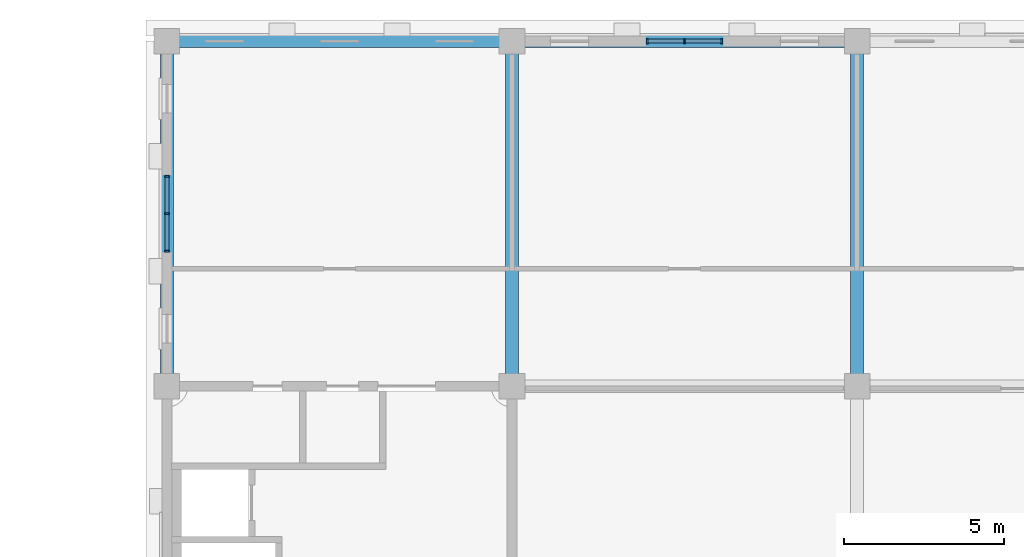
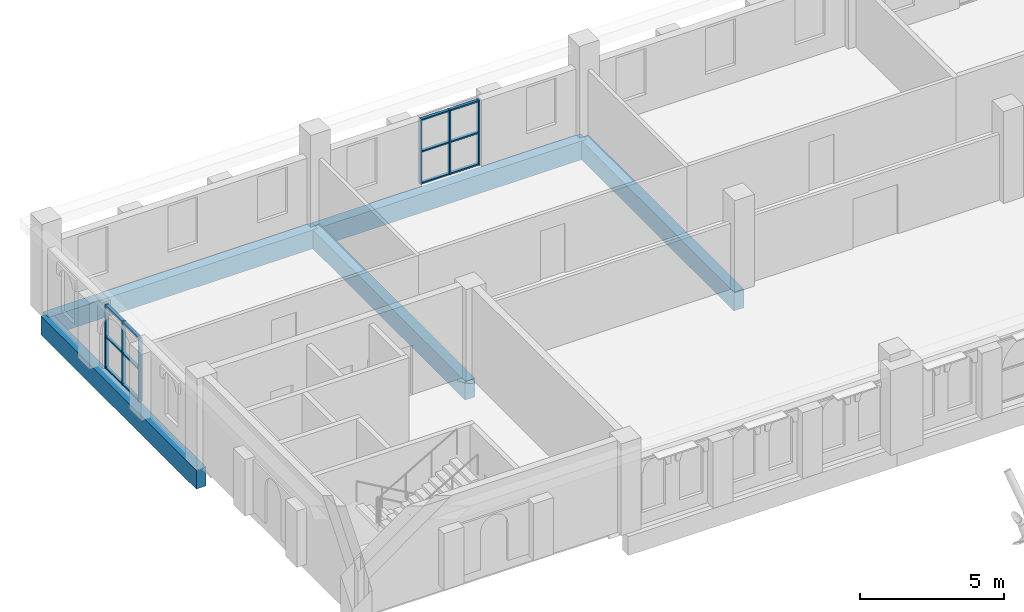
# One storey, part 14 of 42: 18 members, 5 beams, 2 elements without a shape of their own.
"""IFC4 building model written with IfcOpenShell, lengths in metres."""

from ifc_helpers import new_model, si_unit, direction, frame, origin, origin_2d, place, context, subcontext, project, spatial, rectangle, extrude, material, layer, layer_set, material_profile, profile_set, type_object, element, aggregate, save


model = new_model("IFC4")

# Units and contexts
model_context = context("Model", 3, precision=1e-05, world=origin(), true_north=direction((0.0, 1.0)))
body_context = subcontext(model_context, "Body", "Model", "MODEL_VIEW")
ifc_project = project(units=[si_unit("LENGTHUNIT", "METRE"), si_unit("AREAUNIT", "SQUARE_METRE"), si_unit("VOLUMEUNIT", "CUBIC_METRE"), si_unit("PLANEANGLEUNIT", "RADIAN"), si_unit("MASSUNIT", "GRAM", prefix="KILO")], contexts=[model_context])

# Site, building, storey
site_placement = place(None, origin())
site = spatial("IfcSite", under=ifc_project, at=site_placement, CompositionType="ELEMENT")
building_placement = place(site_placement, origin())
building = spatial("IfcBuilding", under=site, at=building_placement, Name="Magnolia Steps Interchange", CompositionType="ELEMENT")
storey_placement = place(building_placement, frame((0.0, 0.0, 12.60009765625)))
storey = spatial("IfcBuildingStorey", under=building, at=storey_placement, Name="L03", CompositionType="ELEMENT", Elevation=12.60009765625)

# Curtain wall, members
ifc_material_1 = material(Name="Powder-coated aluminium and glass", Category="aluminium")
ifc_layer = layer(ifc_material_1, 0.199951171875)
ifc_layer_set = layer_set([ifc_layer], Name="Glazed central bay curtain wall")
curtain_wall_type = type_object("IfcCurtainWallType", Name="Glazed central bay curtain wall", PredefinedType="NOTDEFINED", material=ifc_layer_set)
curtain_wall_1_placement = place(storey_placement, origin())
curtain_wall_1 = element("IfcCurtainWall", 1, at=curtain_wall_1_placement, inside=storey, type_object=curtain_wall_type, Name="Operations building north wall L03 glazing 2", PredefinedType="NOTDEFINED")
ifc_material_2 = material(Name="White powder-coated aluminium", Category="aluminium")
ifc_material_profile_1 = material_profile(ifc_material_2, rectangle(XDim=0.06005859375, YDim=0.14990234375, at=origin_2d()), Name="Aluminium mullion 60 x 150")
ifc_profile_set_1 = profile_set([ifc_material_profile_1], Name="White powder-coated aluminium")
member_type_1 = type_object("IfcMemberType", Name="Aluminium mullion 60 x 150", PredefinedType="MULLION", material=ifc_profile_set_1)
member_1_placement = place(storey_placement, frame((79.030029296875, 118.0, 0.0), z_axis=(0.0, 0.0, 1.0), x_axis=(1.0, 0.0, 0.0)))
member_1 = element("IfcMember", 2, at=member_1_placement, type_object=member_type_1, Name="CW2 mullion 1", PredefinedType="MULLION", context=body_context, shape_type="SweptSolid", body=[
    extrude(rectangle(XDim=0.06005859375, YDim=0.14990234375, at=origin_2d()), origin(), (0.0, 0.0, 1.0), 2.75),
])
member_2_placement = place(storey_placement, frame((80.199951171875, 118.0, 0.0), z_axis=(0.0, 0.0, 1.0), x_axis=(1.0, 0.0, 0.0)))
member_2 = element("IfcMember", 3, at=member_2_placement, type_object=member_type_1, Name="CW2 mullion 2", PredefinedType="MULLION", context=body_context, shape_type="SweptSolid", body=[
    extrude(rectangle(XDim=0.06005859375, YDim=0.14990234375, at=origin_2d()), origin(), (0.0, 0.0, 1.0), 2.75),
])
member_3_placement = place(storey_placement, frame((81.3701171875, 118.0, 0.0), z_axis=(0.0, 0.0, 1.0), x_axis=(1.0, 0.0, 0.0)))
member_3 = element("IfcMember", 4, at=member_3_placement, type_object=member_type_1, Name="CW2 mullion 3", PredefinedType="MULLION", context=body_context, shape_type="SweptSolid", body=[
    extrude(rectangle(XDim=0.06005859375, YDim=0.14990234375, at=origin_2d()), origin(), (0.0, 0.0, 1.0), 2.75),
])

curtain_wall_2_placement = place(storey_placement, origin())
curtain_wall_2 = element("IfcCurtainWall", 5, at=curtain_wall_2_placement, inside=storey, type_object=curtain_wall_type, Name="Operations building west wall L03 glazing 2", PredefinedType="NOTDEFINED")
member_4_placement = place(storey_placement, frame((64.0, 111.429931640625, 0.0), z_axis=(0.0, 0.0, 1.0), x_axis=(0.0, 1.0, 0.0)))
member_4 = element("IfcMember", 6, at=member_4_placement, type_object=member_type_1, Name="CW2 mullion 1", PredefinedType="MULLION", context=body_context, shape_type="SweptSolid", body=[
    extrude(rectangle(XDim=0.06005859375, YDim=0.14990234375, at=origin_2d()), origin(), (0.0, 0.0, 1.0), 2.699951171875),
])
member_5_placement = place(storey_placement, frame((64.0, 112.60009765625, 0.0), z_axis=(0.0, 0.0, 1.0), x_axis=(0.0, 1.0, 0.0)))
member_5 = element("IfcMember", 7, at=member_5_placement, type_object=member_type_1, Name="CW2 mullion 2", PredefinedType="MULLION", context=body_context, shape_type="SweptSolid", body=[
    extrude(rectangle(XDim=0.06005859375, YDim=0.14990234375, at=origin_2d()), origin(), (0.0, 0.0, 1.0), 2.699951171875),
])
member_6_placement = place(storey_placement, frame((64.0, 113.77001953125, 0.0), z_axis=(0.0, 0.0, 1.0), x_axis=(0.0, 1.0, 0.0)))
member_6 = element("IfcMember", 8, at=member_6_placement, type_object=member_type_1, Name="CW2 mullion 3", PredefinedType="MULLION", context=body_context, shape_type="SweptSolid", body=[
    extrude(rectangle(XDim=0.06005859375, YDim=0.14990234375, at=origin_2d()), origin(), (0.0, 0.0, 1.0), 2.699951171875),
])

# Member
ifc_material_3 = material(Name="White powder-coated aluminium", Category="aluminium")
ifc_material_profile_2 = material_profile(ifc_material_3, rectangle(XDim=0.06005859375, YDim=0.1201171875, at=origin_2d()), Name="Aluminium transom 60 x 120")
ifc_profile_set_2 = profile_set([ifc_material_profile_2], Name="White powder-coated aluminium")
member_type_2 = type_object("IfcMemberType", Name="Aluminium transom 60 x 120", PredefinedType="USERDEFINED", material=ifc_profile_set_2)
member_7_placement = place(storey_placement, frame((79.06005859375, 118.0, 0.02978515625), z_axis=(1.0, 0.0, 0.0), x_axis=(0.0, 0.0, 1.0)))
member_7 = element("IfcMember", 9, at=member_7_placement, type_object=member_type_2, Name="CW2 transom 1.1", ObjectType="TRANSOM", PredefinedType="USERDEFINED", context=body_context, shape_type="SweptSolid", body=[
    extrude(rectangle(XDim=0.06005859375, YDim=0.1201171875, at=origin_2d()), origin(), (0.0, 0.0, 1.0), 1.10986328125),
])

member_8_placement = place(storey_placement, frame((79.06005859375, 118.0, 1.375), z_axis=(1.0, 0.0, 0.0), x_axis=(0.0, 0.0, 1.0)))
member_8 = element("IfcMember", 10, at=member_8_placement, type_object=member_type_2, Name="CW2 transom 1.2", ObjectType="TRANSOM", PredefinedType="USERDEFINED", context=body_context, shape_type="SweptSolid", body=[
    extrude(rectangle(XDim=0.06005859375, YDim=0.1201171875, at=origin_2d()), origin(), (0.0, 0.0, 1.0), 1.10986328125),
])

member_9_placement = place(storey_placement, frame((79.06005859375, 118.0, 2.719970703125), z_axis=(1.0, 0.0, 0.0), x_axis=(0.0, 0.0, 1.0)))
member_9 = element("IfcMember", 11, at=member_9_placement, type_object=member_type_2, Name="CW2 transom 1.3", ObjectType="TRANSOM", PredefinedType="USERDEFINED", context=body_context, shape_type="SweptSolid", body=[
    extrude(rectangle(XDim=0.06005859375, YDim=0.1201171875, at=origin_2d()), origin(), (0.0, 0.0, 1.0), 1.10986328125),
])

member_10_placement = place(storey_placement, frame((80.22998046875, 118.0, 0.02978515625), z_axis=(1.0, 0.0, 0.0), x_axis=(0.0, 0.0, 1.0)))
member_10 = element("IfcMember", 12, at=member_10_placement, type_object=member_type_2, Name="CW2 transom 2.1", ObjectType="TRANSOM", PredefinedType="USERDEFINED", context=body_context, shape_type="SweptSolid", body=[
    extrude(rectangle(XDim=0.06005859375, YDim=0.1201171875, at=origin_2d()), origin(), (0.0, 0.0, 1.0), 1.110107421875),
])

member_11_placement = place(storey_placement, frame((80.22998046875, 118.0, 1.375), z_axis=(1.0, 0.0, 0.0), x_axis=(0.0, 0.0, 1.0)))
member_11 = element("IfcMember", 13, at=member_11_placement, type_object=member_type_2, Name="CW2 transom 2.2", ObjectType="TRANSOM", PredefinedType="USERDEFINED", context=body_context, shape_type="SweptSolid", body=[
    extrude(rectangle(XDim=0.06005859375, YDim=0.1201171875, at=origin_2d()), origin(), (0.0, 0.0, 1.0), 1.110107421875),
])

member_12_placement = place(storey_placement, frame((80.22998046875, 118.0, 2.719970703125), z_axis=(1.0, 0.0, 0.0), x_axis=(0.0, 0.0, 1.0)))
member_12 = element("IfcMember", 14, at=member_12_placement, type_object=member_type_2, Name="CW2 transom 2.3", ObjectType="TRANSOM", PredefinedType="USERDEFINED", context=body_context, shape_type="SweptSolid", body=[
    extrude(rectangle(XDim=0.06005859375, YDim=0.1201171875, at=origin_2d()), origin(), (0.0, 0.0, 1.0), 1.110107421875),
])

aggregate(curtain_wall_1, [member_1, member_2, member_3, member_7, member_8, member_9, member_10, member_11, member_12])

member_13_placement = place(storey_placement, frame((64.0, 111.4599609375, 0.02978515625), z_axis=(0.0, 1.0, 0.0), x_axis=(0.0, 0.0, 1.0)))
member_13 = element("IfcMember", 15, at=member_13_placement, type_object=member_type_2, Name="CW2 transom 1.1", ObjectType="TRANSOM", PredefinedType="USERDEFINED", context=body_context, shape_type="SweptSolid", body=[
    extrude(rectangle(XDim=0.06005859375, YDim=0.1201171875, at=origin_2d()), origin(), (0.0, 0.0, 1.0), 1.110107421875),
])

member_14_placement = place(storey_placement, frame((64.0, 111.4599609375, 1.349853515625), z_axis=(0.0, 1.0, 0.0), x_axis=(0.0, 0.0, 1.0)))
member_14 = element("IfcMember", 16, at=member_14_placement, type_object=member_type_2, Name="CW2 transom 1.2", ObjectType="TRANSOM", PredefinedType="USERDEFINED", context=body_context, shape_type="SweptSolid", body=[
    extrude(rectangle(XDim=0.06005859375, YDim=0.1201171875, at=origin_2d()), origin(), (0.0, 0.0, 1.0), 1.110107421875),
])

member_15_placement = place(storey_placement, frame((64.0, 111.4599609375, 2.669921875), z_axis=(0.0, 1.0, 0.0), x_axis=(0.0, 0.0, 1.0)))
member_15 = element("IfcMember", 17, at=member_15_placement, type_object=member_type_2, Name="CW2 transom 1.3", ObjectType="TRANSOM", PredefinedType="USERDEFINED", context=body_context, shape_type="SweptSolid", body=[
    extrude(rectangle(XDim=0.06005859375, YDim=0.1201171875, at=origin_2d()), origin(), (0.0, 0.0, 1.0), 1.110107421875),
])

member_16_placement = place(storey_placement, frame((64.0, 112.6298828125, 0.02978515625), z_axis=(0.0, 1.0, 0.0), x_axis=(0.0, 0.0, 1.0)))
member_16 = element("IfcMember", 18, at=member_16_placement, type_object=member_type_2, Name="CW2 transom 2.1", ObjectType="TRANSOM", PredefinedType="USERDEFINED", context=body_context, shape_type="SweptSolid", body=[
    extrude(rectangle(XDim=0.06005859375, YDim=0.1201171875, at=origin_2d()), origin(), (0.0, 0.0, 1.0), 1.110107421875),
])

member_17_placement = place(storey_placement, frame((64.0, 112.6298828125, 1.349853515625), z_axis=(0.0, 1.0, 0.0), x_axis=(0.0, 0.0, 1.0)))
member_17 = element("IfcMember", 19, at=member_17_placement, type_object=member_type_2, Name="CW2 transom 2.2", ObjectType="TRANSOM", PredefinedType="USERDEFINED", context=body_context, shape_type="SweptSolid", body=[
    extrude(rectangle(XDim=0.06005859375, YDim=0.1201171875, at=origin_2d()), origin(), (0.0, 0.0, 1.0), 1.110107421875),
])

member_18_placement = place(storey_placement, frame((64.0, 112.6298828125, 2.669921875), z_axis=(0.0, 1.0, 0.0), x_axis=(0.0, 0.0, 1.0)))
member_18 = element("IfcMember", 20, at=member_18_placement, type_object=member_type_2, Name="CW2 transom 2.3", ObjectType="TRANSOM", PredefinedType="USERDEFINED", context=body_context, shape_type="SweptSolid", body=[
    extrude(rectangle(XDim=0.06005859375, YDim=0.1201171875, at=origin_2d()), origin(), (0.0, 0.0, 1.0), 1.110107421875),
])

aggregate(curtain_wall_2, [member_4, member_5, member_6, member_13, member_14, member_15, member_16, member_17, member_18])

# Beams
ifc_material_4 = material(Name="Concrete C40", Category="concrete")
ifc_material_profile_3 = material_profile(ifc_material_4, rectangle(XDim=0.39990234375, YDim=0.800048828125, at=origin_2d()), Name="RC400x800")
ifc_profile_set_3 = profile_set([ifc_material_profile_3], Name="Concrete C40")
beam_type = type_object("IfcBeamType", Name="RC beam 400x800", PredefinedType="BEAM", material=ifc_profile_set_3)
for number, where, z_axis, x_axis, name in (
    (21, (64.0, 118.0, -0.7001953125), (1.0, 0.0, 0.0), (0.0, 1.0, 0.0), "Beam L03 K 6-7"),
    (22, (74.800048828125, 118.0, -0.7001953125), (1.0, 0.0, 0.0), (0.0, 1.0, 0.0), "Beam L03 K 7-8"),
    (23, (64.0, 107.199951171875, -0.7001953125), (0.0, 1.0, 0.0), (-1.0, 0.0, 0.0), "Beam L03 6 J-K"),
    (24, (74.800048828125, 107.199951171875, -0.7001953125), (0.0, 1.0, 0.0), (-1.0, 0.0, 0.0), "Beam L03 7 J-K"),
    (25, (85.60009765625, 107.199951171875, -0.7001953125), (0.0, 1.0, 0.0), (-1.0, 0.0, 0.0), "Beam L03 8 J-K"),
):
    element("IfcBeam", number, at=place(storey_placement, frame(where, z_axis=z_axis, x_axis=x_axis)), inside=storey, type_object=beam_type, Name=name, PredefinedType="BEAM", context=body_context, shape_type="SweptSolid", body=[
        extrude(rectangle(XDim=0.39990234375, YDim=0.800048828125, at=origin_2d()), origin(), (0.0, 0.0, 1.0), 10.800048828125),
    ])

save(model, "model.ifc")
